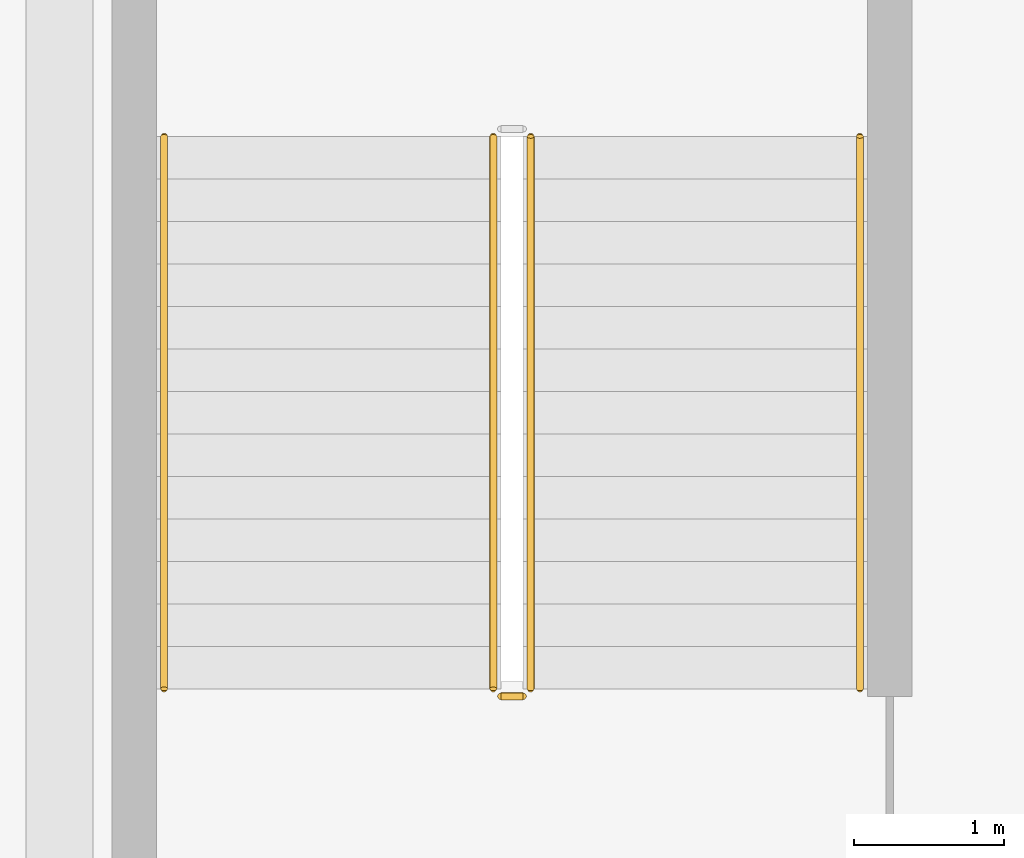
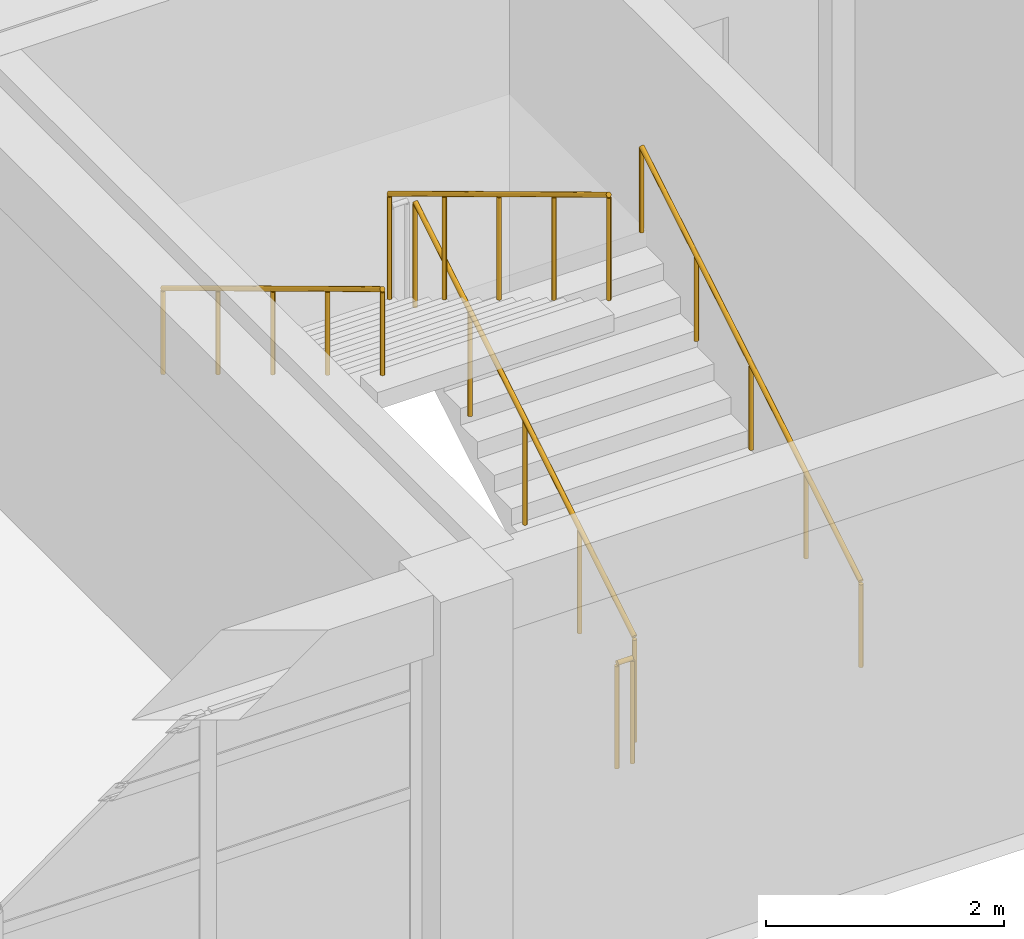
# One storey, part 38 of 42: 5 railings.
"""IFC4 building model written with IfcOpenShell, lengths in metres."""

from ifc_helpers import new_model, si_unit, direction, frame, origin, origin_2d, place, context, subcontext, project, spatial, circle, extrude, material, type_object, element, save


model = new_model("IFC4")

# Units and contexts
model_context = context("Model", 3, precision=1e-05, world=origin(), true_north=direction((0.0, 1.0)))
body_context = subcontext(model_context, "Body", "Model", "MODEL_VIEW")
ifc_project = project(units=[si_unit("LENGTHUNIT", "METRE"), si_unit("AREAUNIT", "SQUARE_METRE"), si_unit("VOLUMEUNIT", "CUBIC_METRE"), si_unit("PLANEANGLEUNIT", "RADIAN"), si_unit("MASSUNIT", "GRAM", prefix="KILO")], contexts=[model_context])

# Site, building, storey
site_placement = place(None, origin())
site = spatial("IfcSite", under=ifc_project, at=site_placement, CompositionType="ELEMENT")
building_placement = place(site_placement, origin())
building = spatial("IfcBuilding", under=site, at=building_placement, Name="Dhurran Vertical Campus", CompositionType="ELEMENT")
storey_placement = place(building_placement, frame((0.0, 0.0, 6.0)))
storey = spatial("IfcBuildingStorey", under=building, at=storey_placement, Name="L01", CompositionType="ELEMENT", Elevation=6.0)

# Railings
ifc_material_1 = material(Name="Steel S355J2H", Category="steel")
railing_type_1 = type_object("IfcRailingType", Name="hl-stair guard 1100", PredefinedType="GUARDRAIL", material=ifc_material_1)
railing_1_placement = place(storey_placement, frame((118.64990234375, -24.550048828125, 0.17138671875)))
element("IfcRailing", 1, at=railing_1_placement, inside=storey, type_object=railing_type_1, Name="L01 HST4 stair guard 1", PredefinedType="GUARDRAIL", context=body_context, shape_type="SweptSolid", body=[
    extrude(circle(Radius=0.02392578125, at=origin_2d()), frame((0.0, 0.0, 1.076171875), z_axis=(0.0, 0.85613627591, 0.516750110858), x_axis=(-1.0, 0.0, 0.0)), (0.0, 0.0, 1.0), 4.3125),
    extrude(circle(Radius=0.02099609375, at=origin_2d()), origin(), (0.0, 0.0, 1.0), 1.052001953125),
    extrude(circle(Radius=0.02099609375, at=origin_2d()), frame((0.0, 0.923095703125, 0.55712890625)), (0.0, 0.0, 1.0), 1.052001953125),
    extrude(circle(Radius=0.02099609375, at=origin_2d()), frame((0.0, 1.84619140625, 1.1142578125)), (0.0, 0.0, 1.0), 1.052001953125),
    extrude(circle(Radius=0.02099609375, at=origin_2d()), frame((0.0, 2.76904296875, 1.67138671875)), (0.0, 0.0, 1.0), 1.052001953125),
    extrude(circle(Radius=0.02099609375, at=origin_2d()), frame((0.0, 3.692138671875, 2.228515625)), (0.0, 0.0, 1.0), 1.052001953125),
])
railing_2_placement = place(storey_placement, frame((118.39990234375, -20.85791015625, 2.571533203125)))
element("IfcRailing", 2, at=railing_2_placement, inside=storey, type_object=railing_type_1, Name="L01 HST4 stair guard 3", PredefinedType="GUARDRAIL", context=body_context, shape_type="SweptSolid", body=[
    extrude(circle(Radius=0.02392578125, at=origin_2d()), frame((0.0, 0.0, 1.076171875), z_axis=(0.0, -0.85613627591, 0.516750110858), x_axis=(1.0, 0.0, 0.0)), (0.0, 0.0, 1.0), 4.3125),
    extrude(circle(Radius=0.02099609375, at=origin_2d()), origin(), (0.0, 0.0, 1.0), 1.052001953125),
    extrude(circle(Radius=0.02099609375, at=origin_2d()), frame((0.0, -0.923095703125, 0.55712890625)), (0.0, 0.0, 1.0), 1.052001953125),
    extrude(circle(Radius=0.02099609375, at=origin_2d()), frame((0.0, -1.84619140625, 1.1142578125)), (0.0, 0.0, 1.0), 1.052001953125),
    extrude(circle(Radius=0.02099609375, at=origin_2d()), frame((0.0, -2.76904296875, 1.67138671875)), (0.0, 0.0, 1.0), 1.052001953125),
    extrude(circle(Radius=0.02099609375, at=origin_2d()), frame((0.0, -3.692138671875, 2.228515625)), (0.0, 0.0, 1.0), 1.052001953125),
])
railing_3_placement = place(storey_placement, frame((118.60009765625, -24.60009765625, 0.0)))
element("IfcRailing", 3, at=railing_3_placement, inside=storey, type_object=railing_type_1, Name="L01 HST4 stair guard 4", PredefinedType="GUARDRAIL", context=body_context, shape_type="SweptSolid", body=[
    extrude(circle(Radius=0.02392578125, at=origin_2d()), frame((0.0, 0.0, 1.076171875), z_axis=(-1.0, 0.0, 0.0), x_axis=(0.0, -1.0, 0.0)), (0.0, 0.0, 1.0), 0.150146484375),
    extrude(circle(Radius=0.02099609375, at=origin_2d()), origin(), (0.0, 0.0, 1.0), 1.052001953125),
    extrude(circle(Radius=0.02099609375, at=origin_2d()), frame((-0.150146484375, 0.0, 0.0)), (0.0, 0.0, 1.0), 1.052001953125),
])
ifc_material_2 = material(Name="Steel S355J2H", Category="steel")
railing_type_2 = type_object("IfcRailingType", Name="hl-stair handrail", PredefinedType="HANDRAIL", material=ifc_material_2)
railing_4_placement = place(storey_placement, frame((120.85009765625, -24.550048828125, 0.17138671875)))
element("IfcRailing", 4, at=railing_4_placement, inside=storey, type_object=railing_type_2, Name="L01 HST4 stair handrail 1", PredefinedType="HANDRAIL", context=body_context, shape_type="SweptSolid", body=[
    extrude(circle(Radius=0.02392578125, at=origin_2d()), frame((0.0, 0.0, 0.8759765625), z_axis=(0.0, 0.85613627591, 0.516750110858), x_axis=(-1.0, 0.0, 0.0)), (0.0, 0.0, 1.0), 4.3125),
    extrude(circle(Radius=0.02099609375, at=origin_2d()), origin(), (0.0, 0.0, 1.0), 0.851806640625),
    extrude(circle(Radius=0.02099609375, at=origin_2d()), frame((0.0, 0.923095703125, 0.55712890625)), (0.0, 0.0, 1.0), 0.851806640625),
    extrude(circle(Radius=0.02099609375, at=origin_2d()), frame((0.0, 1.84619140625, 1.1142578125)), (0.0, 0.0, 1.0), 0.851806640625),
    extrude(circle(Radius=0.02099609375, at=origin_2d()), frame((0.0, 2.76904296875, 1.67138671875)), (0.0, 0.0, 1.0), 0.851806640625),
    extrude(circle(Radius=0.02099609375, at=origin_2d()), frame((0.0, 3.692138671875, 2.228515625)), (0.0, 0.0, 1.0), 0.851806640625),
])
railing_5_placement = place(storey_placement, frame((116.199951171875, -20.85791015625, 2.571533203125)))
element("IfcRailing", 5, at=railing_5_placement, inside=storey, type_object=railing_type_2, Name="L01 HST4 stair handrail 2", PredefinedType="HANDRAIL", context=body_context, shape_type="SweptSolid", body=[
    extrude(circle(Radius=0.02392578125, at=origin_2d()), frame((0.0, 0.0, 0.8759765625), z_axis=(0.0, -0.85613627591, 0.516750110858), x_axis=(1.0, 0.0, 0.0)), (0.0, 0.0, 1.0), 4.3125),
    extrude(circle(Radius=0.02099609375, at=origin_2d()), origin(), (0.0, 0.0, 1.0), 0.851806640625),
    extrude(circle(Radius=0.02099609375, at=origin_2d()), frame((0.0, -0.923095703125, 0.55712890625)), (0.0, 0.0, 1.0), 0.851806640625),
    extrude(circle(Radius=0.02099609375, at=origin_2d()), frame((0.0, -1.84619140625, 1.1142578125)), (0.0, 0.0, 1.0), 0.851806640625),
    extrude(circle(Radius=0.02099609375, at=origin_2d()), frame((0.0, -2.76904296875, 1.67138671875)), (0.0, 0.0, 1.0), 0.851806640625),
    extrude(circle(Radius=0.02099609375, at=origin_2d()), frame((0.0, -3.692138671875, 2.228515625)), (0.0, 0.0, 1.0), 0.851806640625),
])

save(model, "model.ifc")
